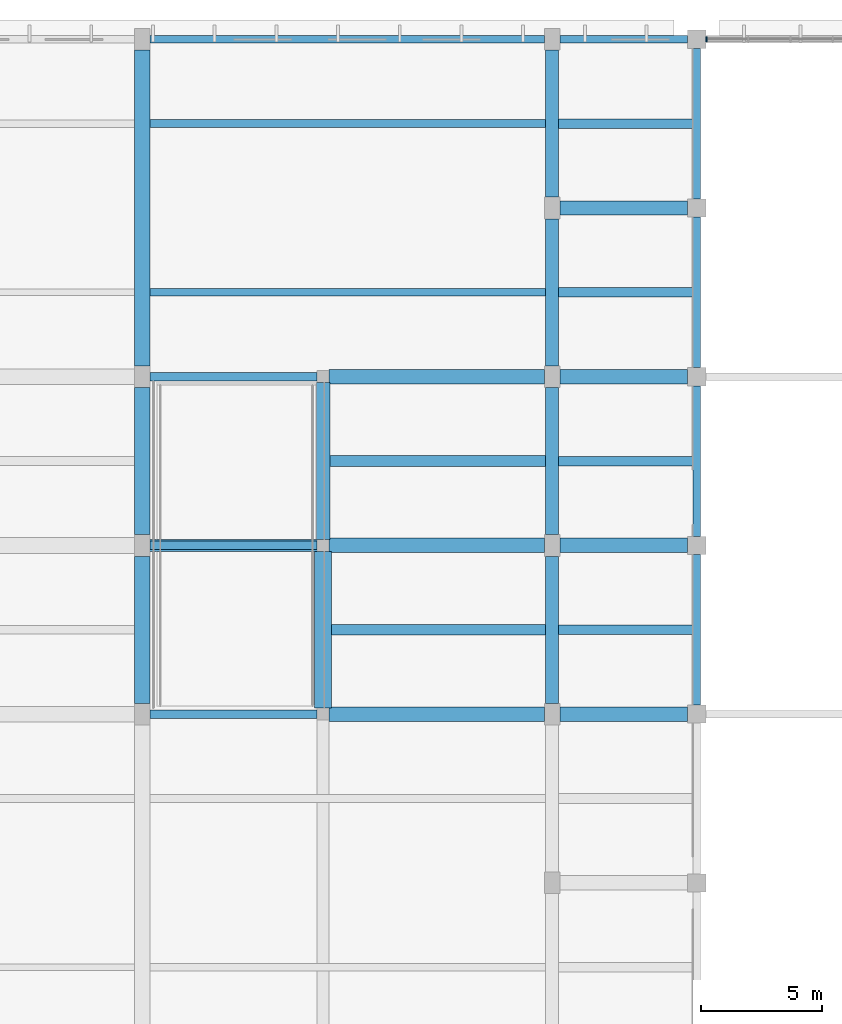
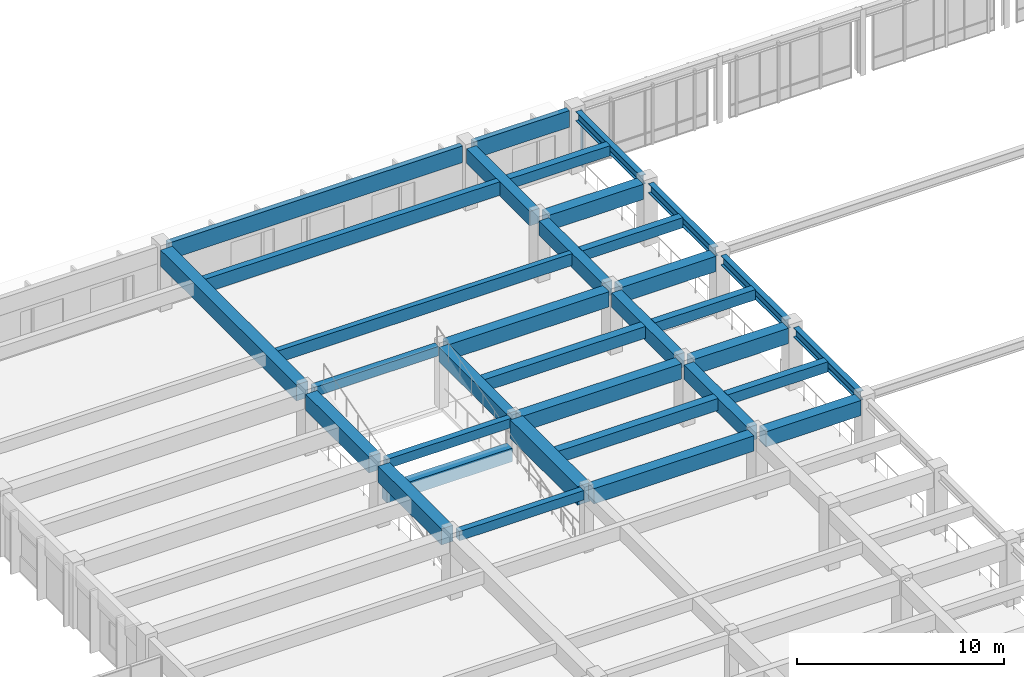
# One storey, part 38 of 98: 34 beams, 1 member, 1 element without a shape of its own.
"""IFC4 building model written with IfcOpenShell, lengths in metres."""

from ifc_helpers import new_model, si_unit, direction, frame, origin, origin_2d, place, context, subcontext, project, spatial, rectangle, i_section, extrude, material, material_profile, profile_set, type_object, element, aggregate, save


model = new_model("IFC4")

# Units and contexts
model_context = context("Model", 3, precision=1e-05, world=origin(), true_north=direction((0.0, 1.0)))
body_context = subcontext(model_context, "Body", "Model", "MODEL_VIEW")
ifc_project = project(units=[si_unit("LENGTHUNIT", "METRE"), si_unit("AREAUNIT", "SQUARE_METRE"), si_unit("VOLUMEUNIT", "CUBIC_METRE"), si_unit("PLANEANGLEUNIT", "RADIAN"), si_unit("MASSUNIT", "GRAM", prefix="KILO")], contexts=[model_context])

# Site, building, storey
site_placement = place(None, origin())
site = spatial("IfcSite", under=ifc_project, at=site_placement, CompositionType="ELEMENT")
building_placement = place(site_placement, origin())
building = spatial("IfcBuilding", under=site, at=building_placement, Name="Larkveld Mobility Hub", CompositionType="ELEMENT")
storey_placement = place(building_placement, frame((0.0, 0.0, 4.5)))
storey = spatial("IfcBuildingStorey", under=building, at=storey_placement, Name="L01", CompositionType="ELEMENT", Elevation=4.5)

# Beams
ifc_material_1 = material(Name="Precast concrete C50/60", Category="concrete")
ifc_material_profile_1 = material_profile(ifc_material_1, rectangle(XDim=0.300048828125, YDim=0.699951171875, at=origin_2d()), Name="PC DT 300x700")
ifc_profile_set_1 = profile_set([ifc_material_profile_1], Name="Precast concrete C50/60")
beam_type_1 = type_object("IfcBeamType", Name="BM-DT3070", PredefinedType="T_BEAM", material=ifc_profile_set_1)
beam_1_placement = place(storey_placement, frame((129.320068359375, 115.5, 3.320068359375), z_axis=(1.0, 0.0, 0.0), x_axis=(0.0, 1.0, 0.0)))
element("IfcBeam", 1, at=beam_1_placement, inside=storey, type_object=beam_type_1, Name="Precast Double-Tee Stem L01-1077", PredefinedType="T_BEAM", context=body_context, shape_type="SweptSolid", body=[
    extrude(rectangle(XDim=0.300048828125, YDim=0.699951171875, at=origin_2d()), origin(), (0.0, 0.0, 1.0), 16.409912109375),
])
ifc_material_profile_2 = material_profile(ifc_material_1, rectangle(XDim=0.340087890625, YDim=0.800048828125, at=origin_2d()), Name="PC DT 340x800")
ifc_profile_set_2 = profile_set([ifc_material_profile_2], Name="Precast concrete C50/60")
beam_type_2 = type_object("IfcBeamType", Name="BM-DT3480", PredefinedType="T_BEAM", material=ifc_profile_set_2)
beam_2_placement = place(storey_placement, frame((129.320068359375, 122.5, 3.27001953125), z_axis=(1.0, 0.0, 0.0), x_axis=(0.0, 1.0, 0.0)))
element("IfcBeam", 2, at=beam_2_placement, inside=storey, type_object=beam_type_2, Name="Precast Double-Tee Stem L01-1080", PredefinedType="T_BEAM", context=body_context, shape_type="SweptSolid", body=[
    extrude(rectangle(XDim=0.340087890625, YDim=0.800048828125, at=origin_2d()), origin(), (0.0, 0.0, 1.0), 16.409912109375),
])
ifc_material_profile_3 = material_profile(ifc_material_1, rectangle(XDim=0.64990234375, YDim=0.949951171875, at=origin_2d()), Name="PC ITB 650x950")
ifc_profile_set_3 = profile_set([ifc_material_profile_3], Name="Precast concrete C50/60")
beam_type_3 = type_object("IfcBeamType", Name="BM-ITB6595", PredefinedType="T_BEAM", material=ifc_profile_set_3)
for number, where, z_axis, x_axis, name in (
    (3, (129.0, 98.449951171875, 3.18505859375), (0.0, 1.0, 0.0), (-1.0, 0.0, 0.0), "Primary N-S Girder L01-0423"),
    (4, (129.0, 105.449951171875, 3.18505859375), (0.0, 1.0, 0.0), (-1.0, 0.0, 0.0), "Primary N-S Girder L01-0424"),
):
    element("IfcBeam", number, at=place(storey_placement, frame(where, z_axis=z_axis, x_axis=x_axis)), inside=storey, type_object=beam_type_3, Name=name, PredefinedType="T_BEAM", context=body_context, shape_type="SweptSolid", body=[
        extrude(rectangle(XDim=0.64990234375, YDim=0.949951171875, at=origin_2d()), origin(), (0.0, 0.0, 1.0), 6.10009765625),
    ])
beam_3_placement = place(storey_placement, frame((129.0, 112.449951171875, 3.18505859375), z_axis=(0.0, 1.0, 0.0), x_axis=(-1.0, 0.0, 0.0)))
element("IfcBeam", 5, at=beam_3_placement, inside=storey, type_object=beam_type_3, Name="Primary N-S Girder L01-0425", PredefinedType="T_BEAM", context=body_context, shape_type="SweptSolid", body=[
    extrude(rectangle(XDim=0.64990234375, YDim=0.949951171875, at=origin_2d()), origin(), (0.0, 0.0, 1.0), 13.10009765625),
])
ifc_material_2 = material(Name="Concrete C40/50", Category="concrete")
ifc_material_profile_4 = material_profile(ifc_material_2, rectangle(XDim=0.35009765625, YDim=0.550048828125, at=origin_2d()), Name="RC BM 350x550")
ifc_profile_set_4 = profile_set([ifc_material_profile_4], Name="Concrete C40/50")
beam_type_4 = type_object("IfcBeamType", Name="BM-RC3555", PredefinedType="BEAM", material=ifc_profile_set_4)
for number, where, z_axis, x_axis, name in (
    (6, (129.324951171875, 98.0, 3.385009765625), (1.0, 0.0, 0.0), (0.0, 1.0, 0.0), "Primary E-W Girder L01-0304"),
    (7, (129.324951171875, 105.0, 3.385009765625), (1.0, 0.0, 0.0), (0.0, 1.0, 0.0), "Primary E-W Girder L01-0308"),
    (8, (129.324951171875, 112.0, 3.385009765625), (1.0, 0.0, 0.0), (0.0, 1.0, 0.0), "Primary E-W Girder L01-0324"),
):
    element("IfcBeam", number, at=place(storey_placement, frame(where, z_axis=z_axis, x_axis=x_axis)), inside=storey, type_object=beam_type_4, Name=name, PredefinedType="BEAM", context=body_context, shape_type="SweptSolid", body=[
        extrude(rectangle(XDim=0.35009765625, YDim=0.550048828125, at=origin_2d()), origin(), (0.0, 0.0, 1.0), 6.925048828125),
    ])
ifc_material_profile_5 = material_profile(ifc_material_2, rectangle(XDim=0.39990234375, YDim=0.60009765625, at=origin_2d()), Name="RC BM 400x600")
ifc_profile_set_5 = profile_set([ifc_material_profile_5], Name="Concrete C40/50")
beam_type_5 = type_object("IfcBeamType", Name="BM-RC4060", PredefinedType="BEAM", material=ifc_profile_set_5)
for number, where, z_axis, x_axis, name in (
    (9, (146.27001953125, 101.5, 3.3701171875), (1.0, 0.0, 0.0), (0.0, 1.0, 0.0), "Concourse Spine Joist L01-1072"),
    (10, (146.27001953125, 108.5, 3.3701171875), (1.0, 0.0, 0.0), (0.0, 1.0, 0.0), "Concourse Spine Joist L01-1075"),
    (11, (146.27001953125, 115.5, 3.3701171875), (1.0, 0.0, 0.0), (0.0, 1.0, 0.0), "Concourse Spine Joist L01-1078"),
    (12, (146.27001953125, 122.5, 3.3701171875), (1.0, 0.0, 0.0), (0.0, 1.0, 0.0), "Concourse Spine Joist L01-1081"),
):
    element("IfcBeam", number, at=place(storey_placement, frame(where, z_axis=z_axis, x_axis=x_axis)), inside=storey, type_object=beam_type_5, Name=name, PredefinedType="BEAM", context=body_context, shape_type="SweptSolid", body=[
        extrude(rectangle(XDim=0.39990234375, YDim=0.60009765625, at=origin_2d()), origin(), (0.0, 0.0, 1.0), 5.5849609375),
    ])
ifc_material_profile_6 = material_profile(ifc_material_2, rectangle(XDim=0.449951171875, YDim=0.699951171875, at=origin_2d()), Name="RC BM 450x700")
ifc_profile_set_6 = profile_set([ifc_material_profile_6], Name="Concrete C40/50")
beam_type_6 = type_object("IfcBeamType", Name="BM-RC4570", PredefinedType="BEAM", material=ifc_profile_set_6)
beam_4_placement = place(storey_placement, frame((136.844970703125, 101.5, 3.320068359375), z_axis=(1.0, 0.0, 0.0), x_axis=(0.0, 1.0, 0.0)))
element("IfcBeam", 13, at=beam_4_placement, inside=storey, type_object=beam_type_6, Name="Ramp Bay Header Beam L01-1071", PredefinedType="BEAM", context=body_context, shape_type="SweptSolid", body=[
    extrude(rectangle(XDim=0.449951171875, YDim=0.699951171875, at=origin_2d()), origin(), (0.0, 0.0, 1.0), 8.885009765625),
])
beam_5_placement = place(storey_placement, frame((136.77001953125, 108.5, 3.320068359375), z_axis=(1.0, 0.0, 0.0), x_axis=(0.0, 1.0, 0.0)))
element("IfcBeam", 14, at=beam_5_placement, inside=storey, type_object=beam_type_6, Name="Ramp Bay Header Beam L01-1074", PredefinedType="BEAM", context=body_context, shape_type="SweptSolid", body=[
    extrude(rectangle(XDim=0.449951171875, YDim=0.699951171875, at=origin_2d()), origin(), (0.0, 0.0, 1.0), 8.9599609375),
])
ifc_material_profile_7 = material_profile(ifc_material_2, rectangle(XDim=0.5, YDim=0.800048828125, at=origin_2d()), Name="RC BM 500x800")
ifc_profile_set_7 = profile_set([ifc_material_profile_7], Name="Concrete C40/50")
beam_type_7 = type_object("IfcBeamType", Name="BM-RC5080", PredefinedType="BEAM", material=ifc_profile_set_7)
beam_6_placement = place(storey_placement, frame((129.280029296875, 105.0, 1.552001953125), z_axis=(1.0, 0.0, 0.0), x_axis=(0.0, 1.0, 0.0)))
element("IfcBeam", 15, at=beam_6_placement, inside=storey, type_object=beam_type_7, Name="EV Ramp Mid Support Beam L01-1774", PredefinedType="BEAM", context=body_context, shape_type="SweptSolid", body=[
    extrude(rectangle(XDim=0.5, YDim=0.800048828125, at=origin_2d()), origin(), (0.0, 0.0, 1.0), 6.989990234375),
])
ifc_material_profile_8 = material_profile(ifc_material_2, rectangle(XDim=0.550048828125, YDim=0.85009765625, at=origin_2d()), Name="RC BM 550x850")
ifc_profile_set_8 = profile_set([ifc_material_profile_8], Name="Concrete C40/50")
beam_type_8 = type_object("IfcBeamType", Name="BM-RC5585", PredefinedType="BEAM", material=ifc_profile_set_8)
beam_7_placement = place(storey_placement, frame((136.5, 105.25, 3.235107421875), z_axis=(0.0, 1.0, 0.0), x_axis=(-1.0, 0.0, 0.0)))
element("IfcBeam", 16, at=beam_7_placement, inside=storey, type_object=beam_type_8, Name="Primary N-S Girder L01-0433", PredefinedType="BEAM", context=body_context, shape_type="SweptSolid", body=[
    extrude(rectangle(XDim=0.550048828125, YDim=0.85009765625, at=origin_2d()), origin(), (0.0, 0.0, 1.0), 6.5),
])
for number, where, z_axis, x_axis, name in (
    (17, (146.0, 98.449951171875, 3.235107421875), (0.0, 1.0, 0.0), (-1.0, 0.0, 0.0), "Primary N-S Girder L01-0443"),
    (18, (146.0, 105.449951171875, 3.235107421875), (0.0, 1.0, 0.0), (-1.0, 0.0, 0.0), "Primary N-S Girder L01-0444"),
    (19, (146.0, 112.449951171875, 3.235107421875), (0.0, 1.0, 0.0), (-1.0, 0.0, 0.0), "Primary N-S Girder L01-0445"),
    (20, (146.0, 119.449951171875, 3.235107421875), (0.0, 1.0, 0.0), (-1.0, 0.0, 0.0), "Primary N-S Girder L01-0446"),
):
    element("IfcBeam", number, at=place(storey_placement, frame(where, z_axis=z_axis, x_axis=x_axis)), inside=storey, type_object=beam_type_8, Name=name, PredefinedType="BEAM", context=body_context, shape_type="SweptSolid", body=[
        extrude(rectangle(XDim=0.550048828125, YDim=0.85009765625, at=origin_2d()), origin(), (0.0, 0.0, 1.0), 6.10009765625),
    ])
ifc_material_profile_9 = material_profile(ifc_material_2, rectangle(XDim=0.60009765625, YDim=0.89990234375, at=origin_2d()), Name="RC BM 600x900")
ifc_profile_set_9 = profile_set([ifc_material_profile_9], Name="Concrete C40/50")
beam_type_9 = type_object("IfcBeamType", Name="BM-RC6090", PredefinedType="BEAM", material=ifc_profile_set_9)
beam_8_placement = place(storey_placement, frame((136.75, 98.0, 3.2099609375), z_axis=(1.0, 0.0, 0.0), x_axis=(0.0, 1.0, 0.0)))
element("IfcBeam", 21, at=beam_8_placement, inside=storey, type_object=beam_type_9, Name="Primary E-W Girder L01-0305", PredefinedType="BEAM", context=body_context, shape_type="SweptSolid", body=[
    extrude(rectangle(XDim=0.60009765625, YDim=0.89990234375, at=origin_2d()), origin(), (0.0, 0.0, 1.0), 8.925048828125),
])
beam_9_placement = place(storey_placement, frame((146.324951171875, 98.0, 3.2099609375), z_axis=(1.0, 0.0, 0.0), x_axis=(0.0, 1.0, 0.0)))
element("IfcBeam", 22, at=beam_9_placement, inside=storey, type_object=beam_type_9, Name="Primary E-W Girder L01-0306", PredefinedType="BEAM", context=body_context, shape_type="SweptSolid", body=[
    extrude(rectangle(XDim=0.60009765625, YDim=0.89990234375, at=origin_2d()), origin(), (0.0, 0.0, 1.0), 5.300048828125),
])
beam_10_placement = place(storey_placement, frame((136.75, 105.0, 3.2099609375), z_axis=(1.0, 0.0, 0.0), x_axis=(0.0, 1.0, 0.0)))
element("IfcBeam", 23, at=beam_10_placement, inside=storey, type_object=beam_type_9, Name="Primary E-W Girder L01-0309", PredefinedType="BEAM", context=body_context, shape_type="SweptSolid", body=[
    extrude(rectangle(XDim=0.60009765625, YDim=0.89990234375, at=origin_2d()), origin(), (0.0, 0.0, 1.0), 8.925048828125),
])
beam_11_placement = place(storey_placement, frame((146.324951171875, 105.0, 3.2099609375), z_axis=(1.0, 0.0, 0.0), x_axis=(0.0, 1.0, 0.0)))
element("IfcBeam", 24, at=beam_11_placement, inside=storey, type_object=beam_type_9, Name="Primary E-W Girder L01-0310", PredefinedType="BEAM", context=body_context, shape_type="SweptSolid", body=[
    extrude(rectangle(XDim=0.60009765625, YDim=0.89990234375, at=origin_2d()), origin(), (0.0, 0.0, 1.0), 5.300048828125),
])
beam_12_placement = place(storey_placement, frame((136.75, 112.0, 3.2099609375), z_axis=(1.0, 0.0, 0.0), x_axis=(0.0, 1.0, 0.0)))
element("IfcBeam", 25, at=beam_12_placement, inside=storey, type_object=beam_type_9, Name="Primary E-W Girder L01-0325", PredefinedType="BEAM", context=body_context, shape_type="SweptSolid", body=[
    extrude(rectangle(XDim=0.60009765625, YDim=0.89990234375, at=origin_2d()), origin(), (0.0, 0.0, 1.0), 8.925048828125),
])
for number, where, z_axis, x_axis, name in (
    (26, (146.324951171875, 112.0, 3.2099609375), (1.0, 0.0, 0.0), (0.0, 1.0, 0.0), "Primary E-W Girder L01-0326"),
    (27, (146.324951171875, 119.0, 3.2099609375), (1.0, 0.0, 0.0), (0.0, 1.0, 0.0), "Primary E-W Girder L01-0327"),
):
    element("IfcBeam", number, at=place(storey_placement, frame(where, z_axis=z_axis, x_axis=x_axis)), inside=storey, type_object=beam_type_9, Name=name, PredefinedType="BEAM", context=body_context, shape_type="SweptSolid", body=[
        extrude(rectangle(XDim=0.60009765625, YDim=0.89990234375, at=origin_2d()), origin(), (0.0, 0.0, 1.0), 5.300048828125),
    ])
ifc_material_profile_10 = material_profile(ifc_material_2, rectangle(XDim=0.699951171875, YDim=1.10009765625, at=origin_2d()), Name="RC BM 700x1100")
ifc_profile_set_10 = profile_set([ifc_material_profile_10], Name="Concrete C40/50")
beam_type_10 = type_object("IfcBeamType", Name="BM-RC70110", PredefinedType="BEAM", material=ifc_profile_set_10)
beam_13_placement = place(storey_placement, frame((136.5, 98.25, 3.110107421875), z_axis=(0.0, 1.0, 0.0), x_axis=(-1.0, 0.0, 0.0)))
element("IfcBeam", 28, at=beam_13_placement, inside=storey, type_object=beam_type_10, Name="Primary N-S Girder L01-0432", PredefinedType="BEAM", context=body_context, shape_type="SweptSolid", body=[
    extrude(rectangle(XDim=0.699951171875, YDim=1.10009765625, at=origin_2d()), origin(), (0.0, 0.0, 1.0), 6.5),
])
ifc_material_profile_11 = material_profile(ifc_material_1, rectangle(XDim=0.300048828125, YDim=0.97998046875, at=origin_2d()), Name="PC SP 300x980")
ifc_profile_set_11 = profile_set([ifc_material_profile_11], Name="Precast concrete C50/60")
beam_type_11 = type_object("IfcBeamType", Name="BM-SP3098", PredefinedType="SPANDREL", material=ifc_profile_set_11)
beam_14_placement = place(storey_placement, frame((129.324951171875, 126.0, 3.169921875), z_axis=(1.0, 0.0, 0.0), x_axis=(0.0, 1.0, 0.0)))
element("IfcBeam", 29, at=beam_14_placement, inside=storey, type_object=beam_type_11, Name="Primary E-W Girder L01-0351", PredefinedType="SPANDREL", context=body_context, shape_type="SweptSolid", body=[
    extrude(rectangle(XDim=0.300048828125, YDim=0.97998046875, at=origin_2d()), origin(), (0.0, 0.0, 1.0), 16.35009765625),
])
beam_15_placement = place(storey_placement, frame((146.324951171875, 126.0, 3.169921875), z_axis=(1.0, 0.0, 0.0), x_axis=(0.0, 1.0, 0.0)))
element("IfcBeam", 30, at=beam_15_placement, inside=storey, type_object=beam_type_11, Name="Primary E-W Girder L01-0352", PredefinedType="SPANDREL", context=body_context, shape_type="SweptSolid", body=[
    extrude(rectangle(XDim=0.300048828125, YDim=0.97998046875, at=origin_2d()), origin(), (0.0, 0.0, 1.0), 5.300048828125),
])
ifc_material_3 = material(Name="Steel S355JR", Category="steel")
ifc_material_profile_12 = material_profile(ifc_material_3, i_section(OverallWidth=0.300048828125, OverallDepth=0.550048828125, WebThickness=0.014892578125, FlangeThickness=0.029052734375, FilletRadius=0.027099609375, at=origin_2d()), Name="HEB 550")
ifc_profile_set_12 = profile_set([ifc_material_profile_12], Name="Steel S355JR")
beam_type_12 = type_object("IfcBeamType", Name="BM-STHEB550", PredefinedType="BEAM", material=ifc_profile_set_12)
for number, where, z_axis, x_axis, name in (
    (31, (152.0, 98.375, 3.385009765625), (0.0, 1.0, 0.0), (-1.0, 0.0, 0.0), "Primary N-S Girder L01-0460"),
    (32, (152.0, 105.375, 3.385009765625), (0.0, 1.0, 0.0), (-1.0, 0.0, 0.0), "Primary N-S Girder L01-0461"),
    (33, (152.0, 112.375, 3.385009765625), (0.0, 1.0, 0.0), (-1.0, 0.0, 0.0), "Primary N-S Girder L01-0462"),
    (34, (152.0, 119.375, 3.385009765625), (0.0, 1.0, 0.0), (-1.0, 0.0, 0.0), "Primary N-S Girder L01-0463"),
):
    element("IfcBeam", number, at=place(storey_placement, frame(where, z_axis=z_axis, x_axis=x_axis)), inside=storey, type_object=beam_type_12, Name=name, PredefinedType="BEAM", context=body_context, shape_type="SweptSolid", body=[
        extrude(i_section(OverallWidth=0.300048828125, OverallDepth=0.550048828125, WebThickness=0.014892578125, FlangeThickness=0.029052734375, FilletRadius=0.027099609375, at=origin_2d()), origin(), (0.0, 0.0, 1.0), 6.25),
    ])

# Curtain wall, member
ifc_material_4 = material(Name="Anodised aluminium 6063-T6", Category="aluminium")
curtain_wall_type = type_object("IfcCurtainWallType", Name="CW-SYS-07", PredefinedType="NOTDEFINED", material=ifc_material_4)
curtain_wall_placement = place(storey_placement, origin())
curtain_wall = element("IfcCurtainWall", 35, at=curtain_wall_placement, inside=storey, type_object=curtain_wall_type, Name="North Ridgeway Upper Concourse Curtain Wall CW-067", PredefinedType="NOTDEFINED")
ifc_material_profile_13 = material_profile(ifc_material_4, rectangle(XDim=0.050048828125, YDim=0.2099609375, at=origin_2d()), Name="ALU MULL 50x210")
ifc_profile_set_13 = profile_set([ifc_material_profile_13], Name="Anodised aluminium 6063-T6")
member_type = type_object("IfcMemberType", Name="CW-MUL-03", PredefinedType="MULLION", material=ifc_profile_set_13)
member_placement = place(storey_placement, frame((152.409912109375, 126.0, -0.001953125), z_axis=(0.0, 0.0, 1.0), x_axis=(-1.0, 0.0, 0.0)))
member = element("IfcMember", 36, at=member_placement, type_object=member_type, Name="CW07 mullion 5", PredefinedType="MULLION", context=body_context, shape_type="SweptSolid", body=[
    extrude(rectangle(XDim=0.050048828125, YDim=0.2099609375, at=origin_2d()), origin(), (0.0, 0.0, 1.0), 3.35205078125),
])
aggregate(curtain_wall, [member])

save(model, "model.ifc")
